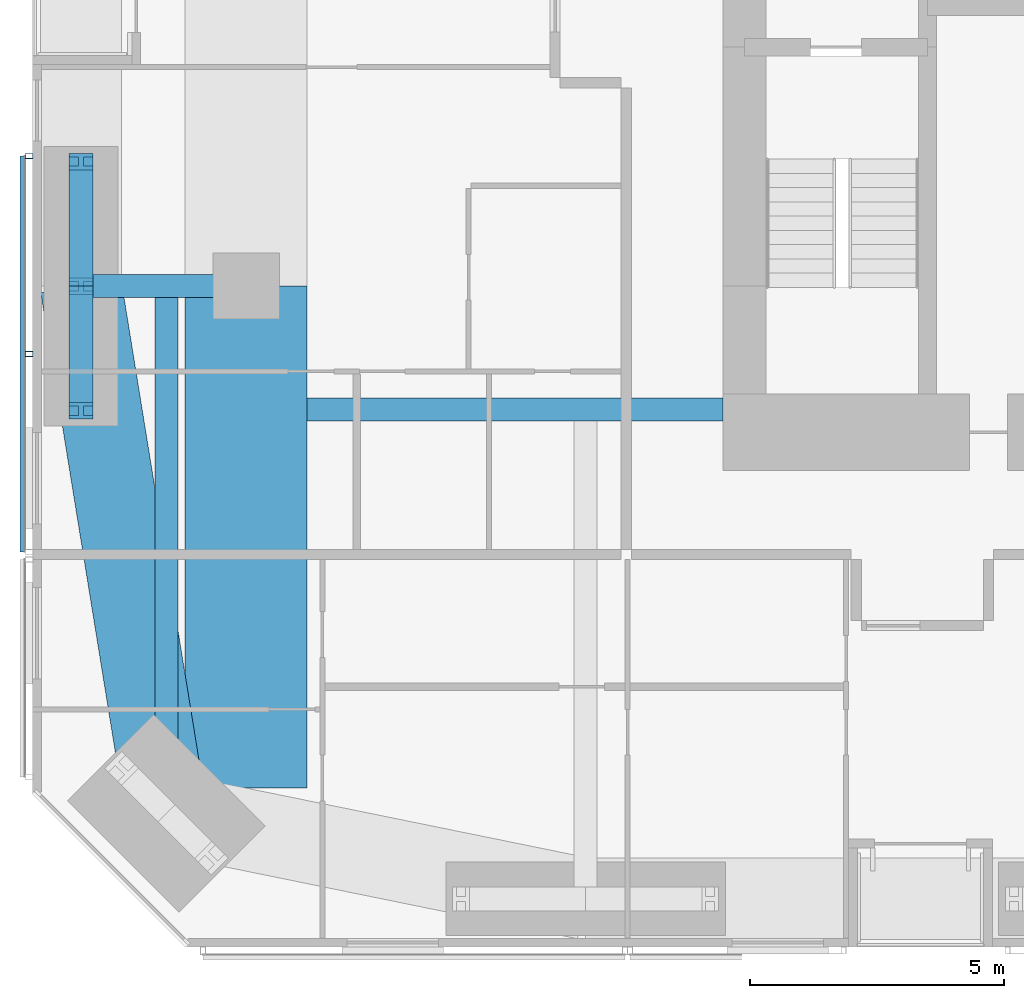
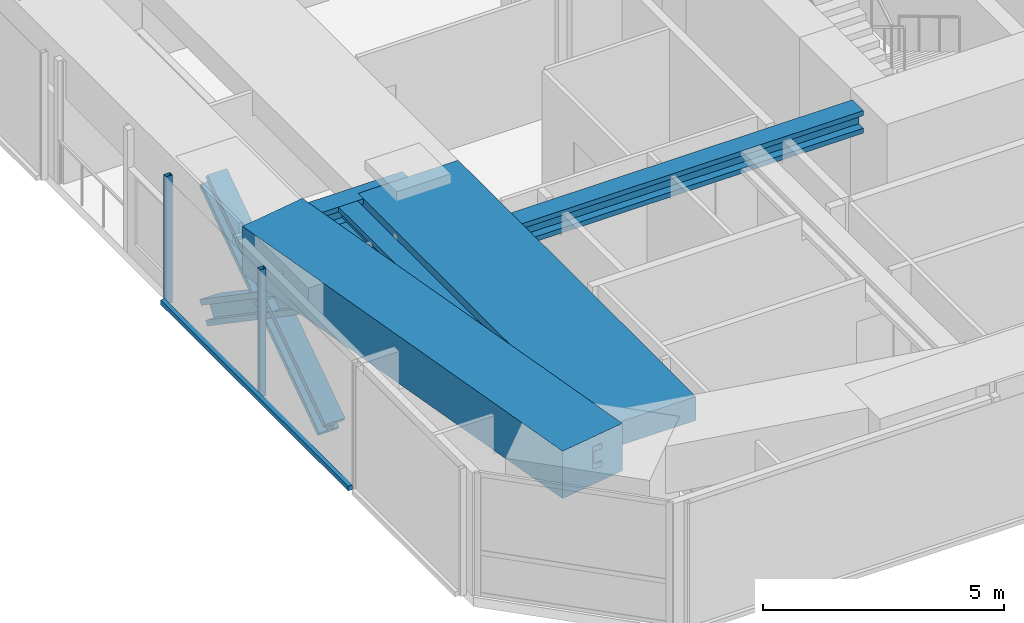
# One storey, part 3 of 24: 7 members, 5 beams, 1 element without a shape of its own.
"""IFC4 building model written with IfcOpenShell, lengths in metres."""

from ifc_helpers import new_model, si_unit, direction, frame, origin, origin_2d, place, context, subcontext, project, spatial, rectangle, hollow_rectangle, i_section, extrude, material, material_profile, profile_set, type_object, element, aggregate, save


model = new_model("IFC4")

# Units and contexts
model_context = context("Model", 3, precision=1e-05, world=origin(), true_north=direction((0.0, 1.0)))
body_context = subcontext(model_context, "Body", "Model", "MODEL_VIEW")
ifc_project = project(units=[si_unit("LENGTHUNIT", "METRE"), si_unit("AREAUNIT", "SQUARE_METRE"), si_unit("VOLUMEUNIT", "CUBIC_METRE"), si_unit("PLANEANGLEUNIT", "RADIAN"), si_unit("MASSUNIT", "GRAM", prefix="KILO")], contexts=[model_context])

# Site, building, storey
site_placement = place(None, origin())
site = spatial("IfcSite", under=ifc_project, at=site_placement, CompositionType="ELEMENT")
building_placement = place(site_placement, origin())
building = spatial("IfcBuilding", under=site, at=building_placement, Name="Jalousie Tower", CompositionType="ELEMENT")
storey_placement = place(building_placement, frame((0.0, 0.0, 91.449951171875)))
storey = spatial("IfcBuildingStorey", under=building, at=storey_placement, Name="L24", CompositionType="ELEMENT", Elevation=91.449951171875)

# Beams
ifc_material_1 = material(Name="Steel ASTM A992 Grade 50", Category="steel")
ifc_material_profile_1 = material_profile(ifc_material_1, i_section(OverallWidth=0.45458984375, OverallDepth=0.569091796875, WebThickness=0.077880859375, FlangeThickness=0.124755859375, at=origin_2d()), Name="W14X730")
ifc_profile_set_1 = profile_set([ifc_material_profile_1], Name="Steel ASTM A992 Grade 50")
beam_type_1 = type_object("IfcBeamType", Name="LEAN COLLECTOR W14X730", PredefinedType="BEAM", material=ifc_profile_set_1)
beam_1_placement = place(storey_placement, frame((6.949951171875, 13.0, 2.825439453125), z_axis=(1.0, 0.0, 0.0), x_axis=(0.0, 1.0, 0.0)))
element("IfcBeam", 1, at=beam_1_placement, inside=storey, type_object=beam_type_1, Name="Lean collector under L25", PredefinedType="BEAM", context=body_context, shape_type="SweptSolid", body=[
    extrude(i_section(OverallWidth=0.45458984375, OverallDepth=0.569091796875, WebThickness=0.077880859375, FlangeThickness=0.124755859375, at=origin_2d()), origin(), (0.0, 0.0, 1.0), 3.25),
])
beam_2_placement = place(storey_placement, frame((11.39990234375, 10.574951171875, 2.825439453125), z_axis=(1.0, 0.0, 0.0), x_axis=(0.0, 1.0, 0.0)))
element("IfcBeam", 2, at=beam_2_placement, inside=storey, type_object=beam_type_1, Name="Lean collector under L25", PredefinedType="BEAM", context=body_context, shape_type="SweptSolid", body=[
    extrude(i_section(OverallWidth=0.45458984375, OverallDepth=0.569091796875, WebThickness=0.077880859375, FlangeThickness=0.124755859375, at=origin_2d()), origin(), (0.0, 0.0, 1.0), 8.175048828125),
])
beam_3_placement = place(storey_placement, frame((8.63134765625, 2.63134765625, 2.825439453125), z_axis=(0.0, 1.0, 0.0), x_axis=(-1.0, 0.0, 0.0)))
element("IfcBeam", 3, at=beam_3_placement, inside=storey, type_object=beam_type_1, Name="Lean collector under L25", PredefinedType="BEAM", context=body_context, shape_type="SweptSolid", body=[
    extrude(i_section(OverallWidth=0.45458984375, OverallDepth=0.569091796875, WebThickness=0.077880859375, FlangeThickness=0.124755859375, at=origin_2d()), origin(), (0.0, 0.0, 1.0), 10.36865234375),
])

# Members
ifc_material_2 = material(Name="Steel ASTM A992 Grade 50", Category="steel")
ifc_material_profile_2 = material_profile(ifc_material_2, i_section(OverallWidth=0.472412109375, OverallDepth=0.5791015625, WebThickness=0.094970703125, FlangeThickness=0.1298828125, at=origin_2d()), Name="W14X808")
ifc_profile_set_2 = profile_set([ifc_material_profile_2], Name="Steel ASTM A992 Grade 50")
member_type_1 = type_object("IfcMemberType", Name="PERIMETER BRACE W14X808", PredefinedType="BRACE", material=ifc_profile_set_2)
for number, where, z_axis, x_axis, name in (
    (4, (6.949951171875, 10.550048828125, -0.599853515625), (0.0, 0.825539243753, 0.564344714713), (-1.0, 0.0, 0.0), "Perimeter brace 14 L24 part 1"),
    (5, (6.949951171875, 13.0, 1.074951171875), (0.0, 0.825500916831, 0.564400776321), (-1.0, 0.0, 0.0), "Perimeter brace 14 L24 part 2"),
    (6, (6.949951171875, 15.449951171875, -0.599853515625), (0.0, -0.825539243753, 0.564344714713), (1.0, 0.0, 0.0), "Perimeter brace 14 L24 part 3"),
    (7, (6.949951171875, 13.0, 1.074951171875), (0.0, -0.825500916831, 0.564400776321), (1.0, 0.0, 0.0), "Perimeter brace 14 L24 part 4"),
):
    element("IfcMember", number, at=place(storey_placement, frame(where, z_axis=z_axis, x_axis=x_axis)), inside=storey, type_object=member_type_1, Name=name, PredefinedType="BRACE", context=body_context, shape_type="SweptSolid", body=[
        extrude(i_section(OverallWidth=0.472412109375, OverallDepth=0.5791015625, WebThickness=0.094970703125, FlangeThickness=0.1298828125, at=origin_2d()), origin(), (0.0, 0.0, 1.0), 2.9677734375),
    ])

# Beams
ifc_material_3 = material(Name="Concrete f'c 40 MPa", Category="concrete")
ifc_material_profile_3 = material_profile(ifc_material_3, rectangle(XDim=1.60009765625, YDim=1.199951171875, at=origin_2d()), Name="RC 1600x1200")
ifc_profile_set_3 = profile_set([ifc_material_profile_3], Name="Concrete f'c 40 MPa")
beam_type_2 = type_object("IfcBeamType", Name="RC BEAM 1600x1200", PredefinedType="BEAM", material=ifc_profile_set_3)
beam_4_placement = place(storey_placement, frame((6.949951171875, 13.0, 2.75), z_axis=(0.160070546476, -0.987105577003, 0.0), x_axis=(0.987105577003, 0.160070546476, 0.0)))
element("IfcBeam", 8, at=beam_4_placement, inside=storey, type_object=beam_type_2, Name="Edge band beam 14-01 under L25", PredefinedType="BEAM", context=body_context, shape_type="SweptSolid", body=[
    extrude(rectangle(XDim=1.60009765625, YDim=1.199951171875, at=origin_2d()), origin(), (0.0, 0.0, 1.0), 10.504150390625),
])
ifc_material_4 = material(Name="Concrete f'c 40 MPa", Category="concrete")
ifc_material_profile_4 = material_profile(ifc_material_4, rectangle(XDim=2.39990234375, YDim=0.60009765625, at=origin_2d()), Name="RC 2400x600")
ifc_profile_set_4 = profile_set([ifc_material_profile_4], Name="Concrete f'c 40 MPa")
beam_type_3 = type_object("IfcBeamType", Name="RC BEAM 2400x600", PredefinedType="BEAM", material=ifc_profile_set_4)
beam_5_placement = place(storey_placement, frame((10.199951171875, 13.0, 2.81005859375), z_axis=(0.0, -1.0, 0.0), x_axis=(1.0, 0.0, 0.0)))
element("IfcBeam", 9, at=beam_5_placement, inside=storey, type_object=beam_type_3, Name="Floor band beam under L25", PredefinedType="BEAM", context=body_context, shape_type="SweptSolid", body=[
    extrude(rectangle(XDim=2.39990234375, YDim=0.60009765625, at=origin_2d()), origin(), (0.0, 0.0, 1.0), 9.8720703125),
])

# Curtain wall, members
ifc_material_5 = material(Name="Perforated aluminium sheet", Category="aluminium")
curtain_wall_type = type_object("IfcCurtainWallType", Name="SOLAR SCREEN SS-1", PredefinedType="USERDEFINED", material=ifc_material_5)
curtain_wall_placement = place(storey_placement, origin())
curtain_wall = element("IfcCurtainWall", 10, at=curtain_wall_placement, inside=storey, type_object=curtain_wall_type, Name="Solar screen L24", ObjectType="SOLAR SCREEN SS-1", PredefinedType="USERDEFINED")
ifc_material_6 = material(Name="Steel ASTM A500 Grade C", Category="steel")
ifc_material_profile_5 = material_profile(ifc_material_6, hollow_rectangle(XDim=0.1015625, YDim=0.15234375, WallThickness=0.00634765625, at=origin_2d()), Name="HSS6X4X1/4")
ifc_profile_set_5 = profile_set([ifc_material_profile_5], Name="Steel ASTM A500 Grade C")
member_type_2 = type_object("IfcMemberType", Name="SOLAR SCREEN SS-1 MULLION", PredefinedType="MULLION", material=ifc_profile_set_5)
member_1_placement = place(storey_placement, frame((5.9287109375, 15.55810546875, -0.119873046875), z_axis=(0.0, 0.0, 1.0), x_axis=(0.0, -1.0, 0.0)))
member_1 = element("IfcMember", 11, at=member_1_placement, type_object=member_type_2, Name="SS1 post 1", PredefinedType="MULLION", context=body_context, shape_type="SweptSolid", body=[
    extrude(hollow_rectangle(XDim=0.1015625, YDim=0.15234375, WallThickness=0.00634765625, at=origin_2d()), origin(), (0.0, 0.0, 1.0), 3.22998046875),
])
member_2_placement = place(storey_placement, frame((5.9287109375, 11.66650390625, -0.119873046875), z_axis=(0.0, 0.0, 1.0), x_axis=(0.0, -1.0, 0.0)))
member_2 = element("IfcMember", 12, at=member_2_placement, type_object=member_type_2, Name="SS1 post 2", PredefinedType="MULLION", context=body_context, shape_type="SweptSolid", body=[
    extrude(hollow_rectangle(XDim=0.1015625, YDim=0.15234375, WallThickness=0.00634765625, at=origin_2d()), origin(), (0.0, 0.0, 1.0), 3.22998046875),
])
ifc_material_7 = material(Name="Extruded aluminium screen rail", Category="aluminium")
ifc_material_profile_6 = material_profile(ifc_material_7, rectangle(XDim=0.1015625, YDim=0.1201171875, at=origin_2d()), Name="RAIL 102x120")
ifc_profile_set_6 = profile_set([ifc_material_profile_6], Name="Extruded aluminium screen rail")
member_type_3 = type_object("IfcMemberType", Name="SOLAR SCREEN SS-1 TRANSOM", PredefinedType="USERDEFINED", material=ifc_profile_set_6)
member_3_placement = place(storey_placement, frame((5.8017578125, 15.55810546875, -0.06005859375), z_axis=(0.0, -1.0, 0.0), x_axis=(1.0, 0.0, 0.0)))
member_3 = element("IfcMember", 13, at=member_3_placement, type_object=member_type_3, Name="SS1 rail", ObjectType="TRANSOM", PredefinedType="USERDEFINED", context=body_context, shape_type="SweptSolid", body=[
    extrude(rectangle(XDim=0.1015625, YDim=0.1201171875, at=origin_2d()), origin(), (0.0, 0.0, 1.0), 7.783203125),
])
aggregate(curtain_wall, [member_1, member_2, member_3])

save(model, "model.ifc")
